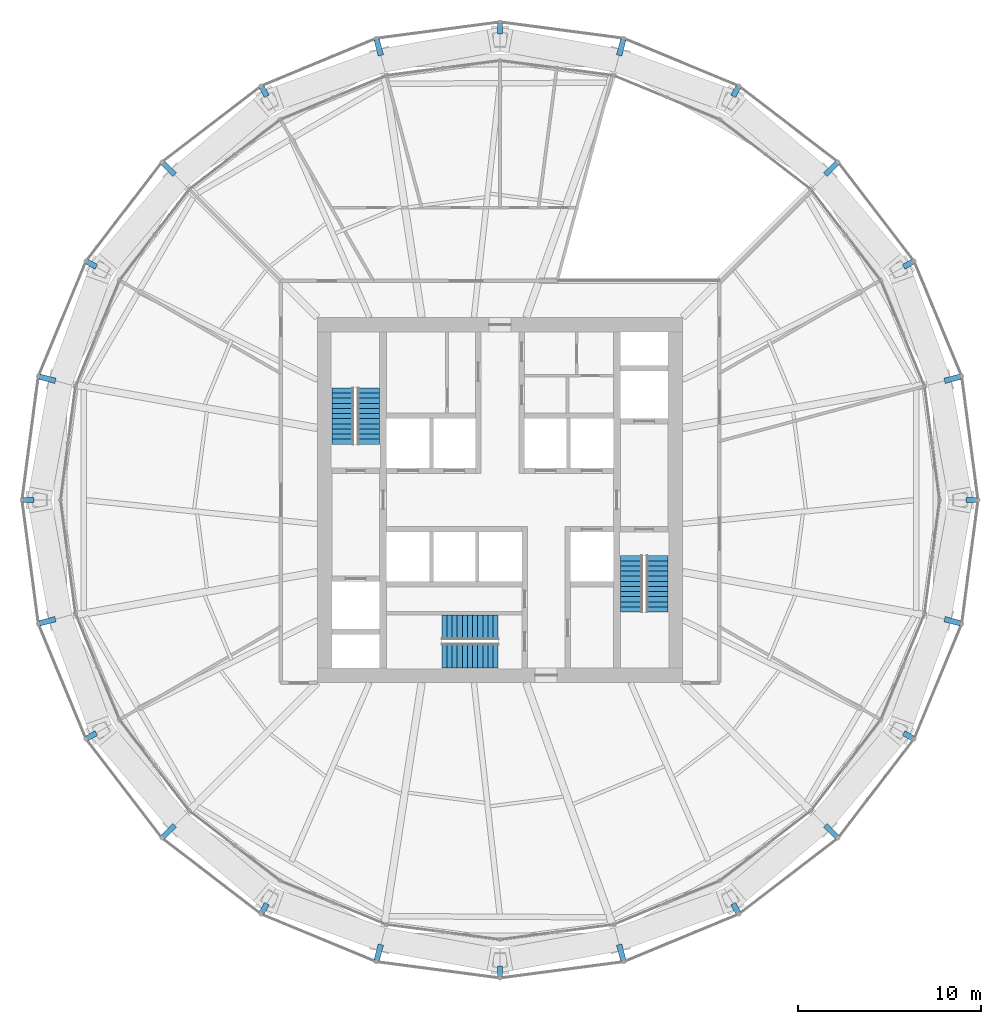
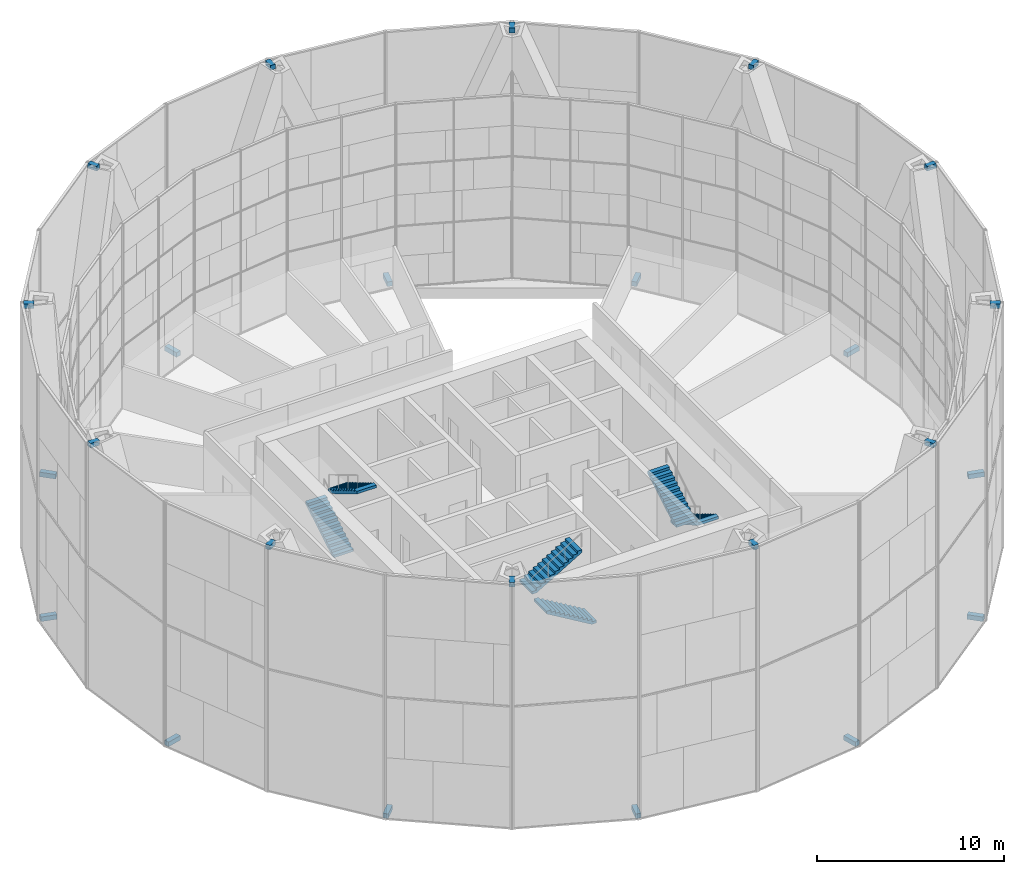
# One storey, part 25 of 26: 24 discrete accessories, 6 stair flights, 3 elements without a shape of their own.
"""IFC4 building model written with IfcOpenShell, lengths in metres."""

from ifc_helpers import new_model, si_unit, direction, frame, origin, origin_2d, place, context, subcontext, project, spatial, polyline, rectangle, outline, extrude, material, type_object, element, aggregate, save


model = new_model("IFC4")

# Units and contexts
model_context = context("Model", 3, precision=1e-05, world=origin(), true_north=direction((0.0, 1.0)))
body_context = subcontext(model_context, "Body", "Model", "MODEL_VIEW")
ifc_project = project(units=[si_unit("LENGTHUNIT", "METRE"), si_unit("AREAUNIT", "SQUARE_METRE"), si_unit("VOLUMEUNIT", "CUBIC_METRE"), si_unit("PLANEANGLEUNIT", "RADIAN"), si_unit("MASSUNIT", "GRAM", prefix="KILO")], contexts=[model_context])

# Site, building, storey
site_placement = place(None, origin())
site = spatial("IfcSite", under=ifc_project, at=site_placement, CompositionType="ELEMENT")
building_placement = place(site_placement, origin())
building = spatial("IfcBuilding", under=site, at=building_placement, Name="Golbaran Civic Tower", CompositionType="ELEMENT")
storey_placement = place(building_placement, frame((0.0, 0.0, 69.0)))
storey = spatial("IfcBuildingStorey", under=building, at=storey_placement, Name="L16", CompositionType="ELEMENT", Elevation=69.0)

# Stair, stair flights
ifc_material_1 = material(Name="Concrete C35/45", Category="concrete")
stair_type_1 = type_object("IfcStairType", Name="EXIT STAIR 2600 x 7450, 4000 RISE", PredefinedType="HALF_TURN_STAIR", material=ifc_material_1)
stair_1_placement = place(storey_placement, origin())
stair_1 = element("IfcStair", 1, at=stair_1_placement, inside=storey, type_object=stair_type_1, Name="Stair S1 L16", PredefinedType="HALF_TURN_STAIR")
stair_flight_type_1 = type_object("IfcStairFlightType", Name="STAIR FLIGHT 1200 WIDE", PredefinedType="STRAIGHT", material=ifc_material_1)
stair_flight_1_placement = place(storey_placement, frame((-8.60009765625, 3.050048828125, 0.0), z_axis=(0.0, 0.0, 1.0), x_axis=(0.0, 1.0, 0.0)))
stair_flight_1 = element("IfcStairFlight", 2, at=stair_flight_1_placement, type_object=stair_flight_type_1, Name="ST26074-40 flight 1", NumberOfRisers=12, NumberOfTreads=11, PredefinedType="STRAIGHT", RiserHeight=0.166666667, TreadLength=0.28, context=body_context, shape_type="SweptSolid", body=[
    extrude(outline(polyline([(0.0, 0.0), (0.0, 0.166748046875), (0.280029296875, 0.166748046875), (0.280029296875, 0.333251953125), (0.56005859375, 0.333251953125), (0.56005859375, 0.5), (0.840087890625, 0.5), (0.840087890625, 0.666748046875), (1.1201171875, 0.666748046875), (1.1201171875, 0.833251953125), (1.39990234375, 0.833251953125), (1.39990234375, 1.0), (1.679931640625, 1.0), (1.679931640625, 1.166748046875), (1.9599609375, 1.166748046875), (1.9599609375, 1.333251953125), (2.239990234375, 1.333251953125), (2.239990234375, 1.5), (2.52001953125, 1.5), (2.52001953125, 1.666748046875), (2.800048828125, 1.666748046875), (2.800048828125, 1.833251953125), (3.080078125, 1.833251953125), (3.080078125, 2.0), (3.080078125, 1.658935546875), (0.29296875, 0.0), (0.0, 0.0)])), frame((0.0, 0.60009765625, 0.0), z_axis=(0.0, -1.0, 0.0), x_axis=(1.0, 0.0, 0.0)), (0.0, 0.0, 1.0), 1.199951171875),
])
stair_flight_2_placement = place(storey_placement, frame((-7.199951171875, 6.1298828125, 2.0), z_axis=(0.0, 0.0, 1.0), x_axis=(0.0, -1.0, 0.0)))
stair_flight_2 = element("IfcStairFlight", 3, at=stair_flight_2_placement, type_object=stair_flight_type_1, Name="ST26074-40 flight 2", NumberOfRisers=12, NumberOfTreads=11, PredefinedType="STRAIGHT", RiserHeight=0.166666667, TreadLength=0.28, context=body_context, shape_type="SweptSolid", body=[
    extrude(outline(polyline([(0.0, 0.0), (0.0, 0.166748046875), (0.280029296875, 0.166748046875), (0.280029296875, 0.333251953125), (0.56005859375, 0.333251953125), (0.56005859375, 0.5), (0.840087890625, 0.5), (0.840087890625, 0.666748046875), (1.1201171875, 0.666748046875), (1.1201171875, 0.833251953125), (1.39990234375, 0.833251953125), (1.39990234375, 1.0), (1.679931640625, 1.0), (1.679931640625, 1.166748046875), (1.9599609375, 1.166748046875), (1.9599609375, 1.333251953125), (2.239990234375, 1.333251953125), (2.239990234375, 1.5), (2.52001953125, 1.5), (2.52001953125, 1.666748046875), (2.800048828125, 1.666748046875), (2.800048828125, 1.833251953125), (3.080078125, 1.833251953125), (3.080078125, 2.0), (3.080078125, 1.658935546875), (0.29296875, 0.0), (0.0, 0.0)])), frame((0.0, 0.60009765625, 0.0), z_axis=(0.0, -1.0, 0.0), x_axis=(1.0, 0.0, 0.0)), (0.0, 0.0, 1.0), 1.199951171875),
])
aggregate(stair_1, [stair_flight_1, stair_flight_2])

stair_2_placement = place(storey_placement, origin())
stair_2 = element("IfcStair", 4, at=stair_2_placement, inside=storey, type_object=stair_type_1, Name="Stair S2 L16", PredefinedType="HALF_TURN_STAIR")
stair_flight_3_placement = place(storey_placement, frame((8.60009765625, -3.050048828125, 0.0), z_axis=(0.0, 0.0, 1.0), x_axis=(0.0, -1.0, 0.0)))
stair_flight_3 = element("IfcStairFlight", 5, at=stair_flight_3_placement, type_object=stair_flight_type_1, Name="ST26074-40 flight 1", NumberOfRisers=12, NumberOfTreads=11, PredefinedType="STRAIGHT", RiserHeight=0.166666667, TreadLength=0.28, context=body_context, shape_type="SweptSolid", body=[
    extrude(outline(polyline([(0.0, 0.0), (0.0, 0.166748046875), (0.280029296875, 0.166748046875), (0.280029296875, 0.333251953125), (0.56005859375, 0.333251953125), (0.56005859375, 0.5), (0.840087890625, 0.5), (0.840087890625, 0.666748046875), (1.1201171875, 0.666748046875), (1.1201171875, 0.833251953125), (1.39990234375, 0.833251953125), (1.39990234375, 1.0), (1.679931640625, 1.0), (1.679931640625, 1.166748046875), (1.9599609375, 1.166748046875), (1.9599609375, 1.333251953125), (2.239990234375, 1.333251953125), (2.239990234375, 1.5), (2.52001953125, 1.5), (2.52001953125, 1.666748046875), (2.800048828125, 1.666748046875), (2.800048828125, 1.833251953125), (3.080078125, 1.833251953125), (3.080078125, 2.0), (3.080078125, 1.658935546875), (0.29296875, 0.0), (0.0, 0.0)])), frame((0.0, 0.60009765625, 0.0), z_axis=(0.0, -1.0, 0.0), x_axis=(1.0, 0.0, 0.0)), (0.0, 0.0, 1.0), 1.199951171875),
])
stair_flight_4_placement = place(storey_placement, frame((7.199951171875, -6.1298828125, 2.0), z_axis=(0.0, 0.0, 1.0), x_axis=(0.0, 1.0, 0.0)))
stair_flight_4 = element("IfcStairFlight", 6, at=stair_flight_4_placement, type_object=stair_flight_type_1, Name="ST26074-40 flight 2", NumberOfRisers=12, NumberOfTreads=11, PredefinedType="STRAIGHT", RiserHeight=0.166666667, TreadLength=0.28, context=body_context, shape_type="SweptSolid", body=[
    extrude(outline(polyline([(0.0, 0.0), (0.0, 0.166748046875), (0.280029296875, 0.166748046875), (0.280029296875, 0.333251953125), (0.56005859375, 0.333251953125), (0.56005859375, 0.5), (0.840087890625, 0.5), (0.840087890625, 0.666748046875), (1.1201171875, 0.666748046875), (1.1201171875, 0.833251953125), (1.39990234375, 0.833251953125), (1.39990234375, 1.0), (1.679931640625, 1.0), (1.679931640625, 1.166748046875), (1.9599609375, 1.166748046875), (1.9599609375, 1.333251953125), (2.239990234375, 1.333251953125), (2.239990234375, 1.5), (2.52001953125, 1.5), (2.52001953125, 1.666748046875), (2.800048828125, 1.666748046875), (2.800048828125, 1.833251953125), (3.080078125, 1.833251953125), (3.080078125, 2.0), (3.080078125, 1.658935546875), (0.29296875, 0.0), (0.0, 0.0)])), frame((0.0, 0.60009765625, 0.0), z_axis=(0.0, -1.0, 0.0), x_axis=(1.0, 0.0, 0.0)), (0.0, 0.0, 1.0), 1.199951171875),
])
aggregate(stair_2, [stair_flight_3, stair_flight_4])

stair_type_2 = type_object("IfcStairType", Name="EXIT STAIR 2900 x 7400, 4000 RISE", PredefinedType="HALF_TURN_STAIR", material=ifc_material_1)
stair_3_placement = place(storey_placement, origin())
stair_3 = element("IfcStair", 7, at=stair_3_placement, inside=storey, type_object=stair_type_2, Name="Stair S3 L16", PredefinedType="HALF_TURN_STAIR")
stair_flight_type_2 = type_object("IfcStairFlightType", Name="STAIR FLIGHT 1350 WIDE", PredefinedType="STRAIGHT", material=ifc_material_1)
stair_flight_5_placement = place(storey_placement, frame((-0.10009765625, -8.52490234375, 0.0), z_axis=(0.0, 0.0, 1.0), x_axis=(-1.0, 0.0, 0.0)))
stair_flight_5 = element("IfcStairFlight", 8, at=stair_flight_5_placement, type_object=stair_flight_type_2, Name="ST29074-40 flight 1", NumberOfRisers=12, NumberOfTreads=11, PredefinedType="STRAIGHT", RiserHeight=0.166666667, TreadLength=0.28, context=body_context, shape_type="SweptSolid", body=[
    extrude(outline(polyline([(0.0, 0.0), (0.0, 0.166748046875), (0.280029296875, 0.166748046875), (0.280029296875, 0.333251953125), (0.56005859375, 0.333251953125), (0.56005859375, 0.5), (0.840087890625, 0.5), (0.840087890625, 0.666748046875), (1.1201171875, 0.666748046875), (1.1201171875, 0.833251953125), (1.39990234375, 0.833251953125), (1.39990234375, 1.0), (1.679931640625, 1.0), (1.679931640625, 1.166748046875), (1.9599609375, 1.166748046875), (1.9599609375, 1.333251953125), (2.239990234375, 1.333251953125), (2.239990234375, 1.5), (2.52001953125, 1.5), (2.52001953125, 1.666748046875), (2.800048828125, 1.666748046875), (2.800048828125, 1.833251953125), (3.080078125, 1.833251953125), (3.080078125, 2.0), (3.080078125, 1.658935546875), (0.29296875, 0.0), (0.0, 0.0)])), frame((0.0, 0.675048828125, 0.0), z_axis=(0.0, -1.0, 0.0), x_axis=(1.0, 0.0, 0.0)), (0.0, 0.0, 1.0), 1.35009765625),
])
stair_flight_6_placement = place(storey_placement, frame((-3.179931640625, -6.97509765625, 2.0), z_axis=(0.0, 0.0, 1.0), x_axis=(1.0, 0.0, 0.0)))
stair_flight_6 = element("IfcStairFlight", 9, at=stair_flight_6_placement, type_object=stair_flight_type_2, Name="ST29074-40 flight 2", NumberOfRisers=12, NumberOfTreads=11, PredefinedType="STRAIGHT", RiserHeight=0.166666667, TreadLength=0.28, context=body_context, shape_type="SweptSolid", body=[
    extrude(outline(polyline([(0.0, 0.0), (0.0, 0.166748046875), (0.280029296875, 0.166748046875), (0.280029296875, 0.333251953125), (0.56005859375, 0.333251953125), (0.56005859375, 0.5), (0.840087890625, 0.5), (0.840087890625, 0.666748046875), (1.1201171875, 0.666748046875), (1.1201171875, 0.833251953125), (1.39990234375, 0.833251953125), (1.39990234375, 1.0), (1.679931640625, 1.0), (1.679931640625, 1.166748046875), (1.9599609375, 1.166748046875), (1.9599609375, 1.333251953125), (2.239990234375, 1.333251953125), (2.239990234375, 1.5), (2.52001953125, 1.5), (2.52001953125, 1.666748046875), (2.800048828125, 1.666748046875), (2.800048828125, 1.833251953125), (3.080078125, 1.833251953125), (3.080078125, 2.0), (3.080078125, 1.658935546875), (0.29296875, 0.0), (0.0, 0.0)])), frame((0.0, 0.675048828125, 0.0), z_axis=(0.0, -1.0, 0.0), x_axis=(1.0, 0.0, 0.0)), (0.0, 0.0, 1.0), 1.35009765625),
])
aggregate(stair_3, [stair_flight_5, stair_flight_6])

# Discrete accessories
ifc_material_2 = material(Name="Steel S355", Category="steel")
discrete_accessory_type = type_object("IfcDiscreteAccessoryType", Name="OUTER SKIN BRACKET", PredefinedType="BRACKET", material=ifc_material_2)
for number, where, z_axis, x_axis, name in (
    (10, (24.762451171875, 6.635009765625, -0.7099609375), (0.0, 0.0, 1.0), (0.965925826289, 0.258819045103, 0.0), "Outer skin bracket L16 node 1"),
    (11, (18.12744140625, 18.12744140625, -0.7099609375), (0.0, 0.0, 1.0), (0.707106781187, 0.707106781187, 0.0), "Outer skin bracket L16 node 2"),
    (12, (6.635009765625, 24.762451171875, -0.7099609375), (0.0, 0.0, 1.0), (0.258819045103, 0.965925826289, 0.0), "Outer skin bracket L16 node 3"),
    (13, (-6.635009765625, 24.762451171875, -0.7099609375), (0.0, 0.0, 1.0), (-0.258819045103, 0.965925826289, 0.0), "Outer skin bracket L16 node 4"),
    (14, (-18.12744140625, 18.12744140625, -0.7099609375), (0.0, 0.0, 1.0), (-0.707106781187, 0.707106781187, 0.0), "Outer skin bracket L16 node 5"),
    (15, (-24.762451171875, 6.635009765625, -0.7099609375), (0.0, 0.0, 1.0), (-0.965925826289, 0.258819045103, 0.0), "Outer skin bracket L16 node 6"),
    (16, (-24.762451171875, -6.635009765625, -0.7099609375), (0.0, 0.0, 1.0), (-0.965925826289, -0.258819045103, 0.0), "Outer skin bracket L16 node 7"),
    (17, (-18.12744140625, -18.12744140625, -0.7099609375), (0.0, 0.0, 1.0), (-0.707106781187, -0.707106781187, 0.0), "Outer skin bracket L16 node 8"),
    (18, (-6.635009765625, -24.762451171875, -0.7099609375), (0.0, 0.0, 1.0), (-0.258819045103, -0.965925826289, 0.0), "Outer skin bracket L16 node 9"),
    (19, (6.635009765625, -24.762451171875, -0.7099609375), (0.0, 0.0, 1.0), (0.258819045103, -0.965925826289, 0.0), "Outer skin bracket L16 node 10"),
    (20, (18.12744140625, -18.12744140625, -0.7099609375), (0.0, 0.0, 1.0), (0.707106781187, -0.707106781187, 0.0), "Outer skin bracket L16 node 11"),
    (21, (24.762451171875, -6.635009765625, -0.7099609375), (0.0, 0.0, 1.0), (0.965925826289, -0.258819045103, 0.0), "Outer skin bracket L16 node 12"),
):
    element("IfcDiscreteAccessory", number, at=place(storey_placement, frame(where, z_axis=z_axis, x_axis=x_axis)), inside=storey, type_object=discrete_accessory_type, Name=name, PredefinedType="BRACKET", context=body_context, shape_type="SweptSolid", body=[
        extrude(rectangle(XDim=0.889892578125, YDim=0.300048828125, at=origin_2d()), origin(), (0.0, 0.0, 1.0), 0.300048828125),
    ])
for number, where, z_axis, x_axis, name in (
    (22, (25.7958984375, 0.0, 14.98974609375), (0.0, 0.0, 1.0), (1.0, 0.0, 0.0), "Outer skin head bracket L16 node 1"),
    (23, (22.340087890625, 12.89794921875, 14.98974609375), (0.0, 0.0, 1.0), (0.866025403784, 0.5, 0.0), "Outer skin head bracket L16 node 2"),
    (24, (12.89794921875, 22.340087890625, 14.98974609375), (0.0, 0.0, 1.0), (0.5, 0.866025403784, 0.0), "Outer skin head bracket L16 node 3"),
    (25, (0.0, 25.7958984375, 14.98974609375), (0.0, 0.0, 1.0), (0.0, 1.0, 0.0), "Outer skin head bracket L16 node 4"),
    (26, (-12.89794921875, 22.340087890625, 14.98974609375), (0.0, 0.0, 1.0), (-0.5, 0.866025403784, 0.0), "Outer skin head bracket L16 node 5"),
    (27, (-22.340087890625, 12.89794921875, 14.98974609375), (0.0, 0.0, 1.0), (-0.866025403784, 0.5, 0.0), "Outer skin head bracket L16 node 6"),
    (28, (-25.7958984375, 0.0, 14.98974609375), (0.0, 0.0, 1.0), (-1.0, 0.0, 0.0), "Outer skin head bracket L16 node 7"),
    (29, (-22.340087890625, -12.89794921875, 14.98974609375), (0.0, 0.0, 1.0), (-0.866025403784, -0.5, 0.0), "Outer skin head bracket L16 node 8"),
    (30, (-12.89794921875, -22.340087890625, 14.98974609375), (0.0, 0.0, 1.0), (-0.5, -0.866025403784, 0.0), "Outer skin head bracket L16 node 9"),
    (31, (0.0, -25.7958984375, 14.98974609375), (0.0, 0.0, 1.0), (0.0, -1.0, 0.0), "Outer skin head bracket L16 node 10"),
    (32, (12.89794921875, -22.340087890625, 14.98974609375), (0.0, 0.0, 1.0), (0.5, -0.866025403784, 0.0), "Outer skin head bracket L16 node 11"),
    (33, (22.340087890625, -12.89794921875, 14.98974609375), (0.0, 0.0, 1.0), (0.866025403784, -0.5, 0.0), "Outer skin head bracket L16 node 12"),
):
    element("IfcDiscreteAccessory", number, at=place(storey_placement, frame(where, z_axis=z_axis, x_axis=x_axis)), inside=storey, type_object=discrete_accessory_type, Name=name, PredefinedType="BRACKET", context=body_context, shape_type="SweptSolid", body=[
        extrude(rectangle(XDim=0.570068359375, YDim=0.300048828125, at=origin_2d()), origin(), (0.0, 0.0, 1.0), 0.300048828125),
    ])

save(model, "model.ifc")
